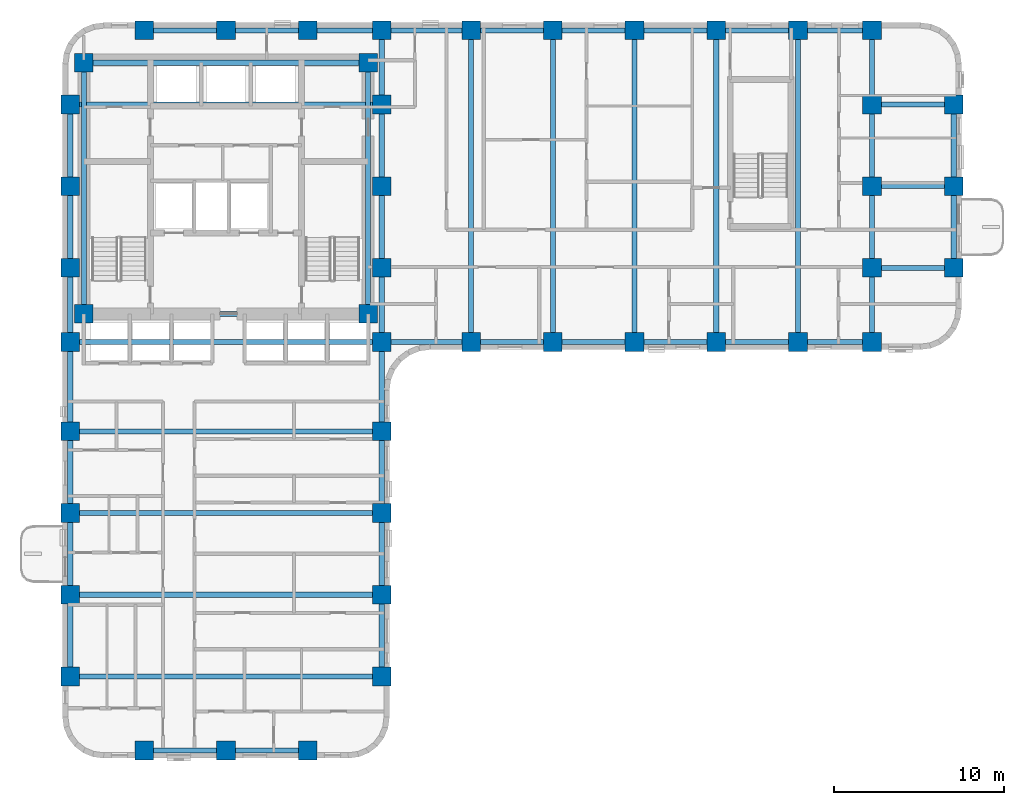
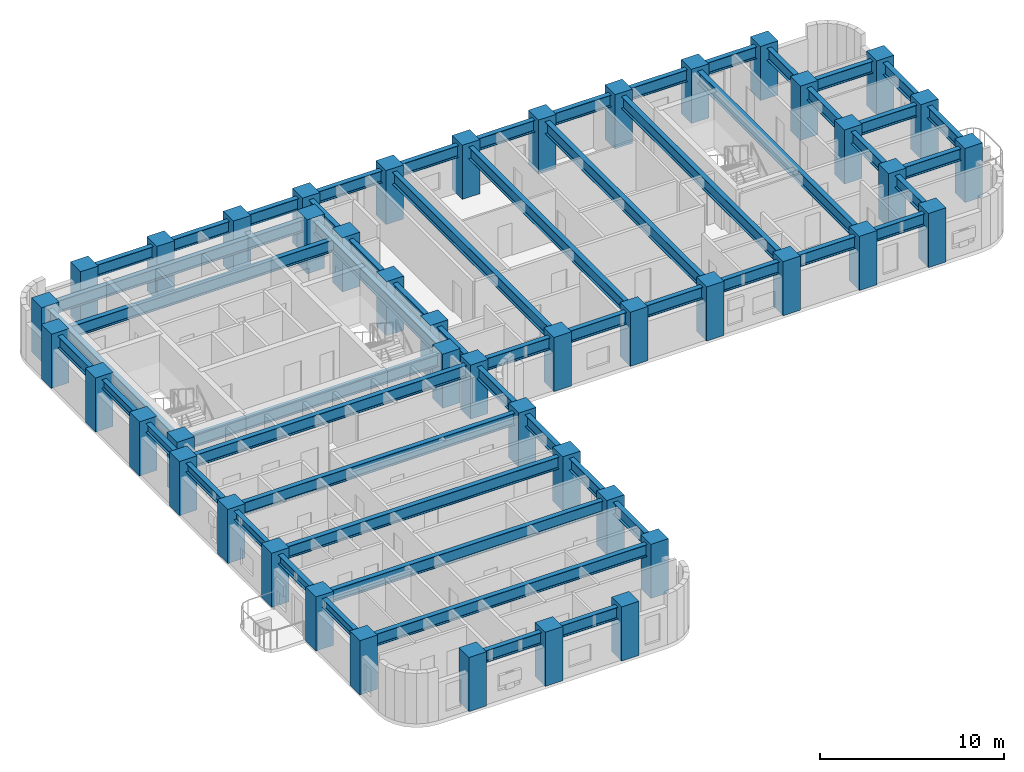
# One storey, part 1 of 12: 56 beams, 45 columns.
"""IFC4 building model written with IfcOpenShell, lengths in metres."""

from ifc_helpers import new_model, si_unit, direction, frame, origin, origin_2d, place, context, subcontext, project, spatial, rectangle, i_section, extrude, material, material_profile, profile_set, type_object, element, save


model = new_model("IFC4")

# Units and contexts
model_context = context("Model", 3, precision=1e-05, world=origin(), true_north=direction((0.0, 1.0)))
body_context = subcontext(model_context, "Body", "Model", "MODEL_VIEW")
ifc_project = project(units=[si_unit("LENGTHUNIT", "METRE"), si_unit("AREAUNIT", "SQUARE_METRE"), si_unit("VOLUMEUNIT", "CUBIC_METRE"), si_unit("PLANEANGLEUNIT", "RADIAN"), si_unit("MASSUNIT", "GRAM", prefix="KILO")], contexts=[model_context])

# Site, building, storey
site_placement = place(None, origin())
site = spatial("IfcSite", under=ifc_project, at=site_placement, CompositionType="ELEMENT")
building_placement = place(site_placement, origin())
building = spatial("IfcBuilding", under=site, at=building_placement, Name="Orvandelia Arch Residences", CompositionType="ELEMENT")
storey_placement = place(building_placement, frame((0.0, 0.0, 39.39990234375)))
storey = spatial("IfcBuildingStorey", under=building, at=storey_placement, Name="L09", CompositionType="ELEMENT", Elevation=39.39990234375)

# Columns
ifc_material_1 = material(Name="Concrete C80/95", Category="concrete")
ifc_material_profile_1 = material_profile(ifc_material_1, rectangle(XDim=1.10009765625, YDim=1.10009765625, at=origin_2d()), Name="Concrete C80/95", Category="concrete")
ifc_profile_set_1 = profile_set([ifc_material_profile_1], Name="Concrete C80/95")
column_type = type_object("IfcColumnType", Name="COL-TWR-1100", PredefinedType="COLUMN", material=ifc_profile_set_1)
for number, where, z_axis, x_axis, name in (
    (1, (5.25, 9.60009765625, 0.0), (0.0, 0.0, 1.0), (1.0, 0.0, 0.0), "Structural Column L09-W-W-96"),
    (2, (5.25, 14.39990234375, 0.0), (0.0, 0.0, 1.0), (1.0, 0.0, 0.0), "Structural Column L09-W-W-144"),
    (3, (5.25, 19.199951171875, 0.0), (0.0, 0.0, 1.0), (1.0, 0.0, 0.0), "Structural Column L09-W-W-192"),
    (4, (5.25, 24.0, 0.0), (0.0, 0.0, 1.0), (1.0, 0.0, 0.0), "Structural Column L09-W-W-240"),
    (5, (5.25, 29.25, 0.0), (0.0, 0.0, 1.0), (1.0, 0.0, 0.0), "Structural Column L09-W-W-292"),
    (6, (5.25, 33.60009765625, 0.0), (0.0, 0.0, 1.0), (1.0, 0.0, 0.0), "Structural Column L09-W-W-336"),
    (7, (5.25, 38.39990234375, 0.0), (0.0, 0.0, 1.0), (1.0, 0.0, 0.0), "Structural Column L09-W-W-384"),
    (8, (5.25, 43.199951171875, 0.0), (0.0, 0.0, 1.0), (1.0, 0.0, 0.0), "Structural Column L09-W-W-432"),
    (9, (6.050048828125, 30.89990234375, 0.0), (0.0, 0.0, 1.0), (1.0, 0.0, 0.0), "Structural Column L09-CR-SW"),
    (10, (6.050048828125, 45.64990234375, 0.0), (0.0, 0.0, 1.0), (1.0, 0.0, 0.0), "Structural Column L09-CR-NW"),
    (11, (9.60009765625, 5.25, 0.0), (0.0, 0.0, 1.0), (1.0, 0.0, 0.0), "Structural Column L09-W-S-96"),
    (12, (9.60009765625, 47.550048828125, 0.0), (0.0, 0.0, 1.0), (1.0, 0.0, 0.0), "Structural Column L09-W-N-96"),
    (13, (14.39990234375, 5.25, 0.0), (0.0, 0.0, 1.0), (1.0, 0.0, 0.0), "Structural Column L09-W-S-144"),
    (14, (14.39990234375, 47.550048828125, 0.0), (0.0, 0.0, 1.0), (1.0, 0.0, 0.0), "Structural Column L09-W-N-144"),
    (15, (19.199951171875, 5.25, 0.0), (0.0, 0.0, 1.0), (1.0, 0.0, 0.0), "Structural Column L09-W-S-192"),
    (16, (19.199951171875, 47.550048828125, 0.0), (0.0, 0.0, 1.0), (1.0, 0.0, 0.0), "Structural Column L09-W-N-192"),
    (17, (22.75, 30.89990234375, 0.0), (0.0, 0.0, 1.0), (1.0, 0.0, 0.0), "Structural Column L09-CR-SE"),
    (18, (22.75, 45.64990234375, 0.0), (0.0, 0.0, 1.0), (1.0, 0.0, 0.0), "Structural Column L09-CR-NE"),
    (19, (23.550048828125, 9.60009765625, 0.0), (0.0, 0.0, 1.0), (1.0, 0.0, 0.0), "Structural Column L09-W-E-96"),
    (20, (23.550048828125, 14.39990234375, 0.0), (0.0, 0.0, 1.0), (1.0, 0.0, 0.0), "Structural Column L09-W-E-144"),
    (21, (23.550048828125, 19.199951171875, 0.0), (0.0, 0.0, 1.0), (1.0, 0.0, 0.0), "Structural Column L09-W-E-192"),
    (22, (23.550048828125, 24.0, 0.0), (0.0, 0.0, 1.0), (1.0, 0.0, 0.0), "Structural Column L09-W-E-240"),
    (23, (23.550048828125, 29.25, 0.0), (0.0, 0.0, 1.0), (1.0, 0.0, 0.0), "Structural Column L09-W-E-292"),
    (24, (23.550048828125, 33.60009765625, 0.0), (0.0, 0.0, 1.0), (1.0, 0.0, 0.0), "Structural Column L09-W-E-336"),
    (25, (23.550048828125, 38.39990234375, 0.0), (0.0, 0.0, 1.0), (1.0, 0.0, 0.0), "Structural Column L09-W-E-384"),
    (26, (23.550048828125, 43.199951171875, 0.0), (0.0, 0.0, 1.0), (1.0, 0.0, 0.0), "Structural Column L09-W-E-432"),
    (27, (23.550048828125, 47.550048828125, 0.0), (0.0, 0.0, 1.0), (1.0, 0.0, 0.0), "Structural Column L09-W-N-235"),
    (28, (28.800048828125, 29.25, 0.0), (0.0, 0.0, 1.0), (1.0, 0.0, 0.0), "Structural Column L09-E-S-288"),
    (29, (28.800048828125, 47.550048828125, 0.0), (0.0, 0.0, 1.0), (1.0, 0.0, 0.0), "Structural Column L09-E-N-288"),
    (30, (33.60009765625, 29.25, 0.0), (0.0, 0.0, 1.0), (1.0, 0.0, 0.0), "Structural Column L09-E-S-336"),
    (31, (33.60009765625, 47.550048828125, 0.0), (0.0, 0.0, 1.0), (1.0, 0.0, 0.0), "Structural Column L09-E-N-336"),
    (32, (38.39990234375, 29.25, 0.0), (0.0, 0.0, 1.0), (1.0, 0.0, 0.0), "Structural Column L09-E-S-384"),
    (33, (38.39990234375, 47.550048828125, 0.0), (0.0, 0.0, 1.0), (1.0, 0.0, 0.0), "Structural Column L09-E-N-384"),
    (34, (43.199951171875, 29.25, 0.0), (0.0, 0.0, 1.0), (1.0, 0.0, 0.0), "Structural Column L09-E-S-432"),
    (35, (43.199951171875, 47.550048828125, 0.0), (0.0, 0.0, 1.0), (1.0, 0.0, 0.0), "Structural Column L09-E-N-432"),
    (36, (48.0, 29.25, 0.0), (0.0, 0.0, 1.0), (1.0, 0.0, 0.0), "Structural Column L09-E-S-480"),
    (37, (48.0, 47.550048828125, 0.0), (0.0, 0.0, 1.0), (1.0, 0.0, 0.0), "Structural Column L09-E-N-480"),
    (38, (52.35009765625, 29.25, 0.0), (0.0, 0.0, 1.0), (1.0, 0.0, 0.0), "Structural Column L09-E-S-523"),
    (39, (52.35009765625, 33.60009765625, 0.0), (0.0, 0.0, 1.0), (1.0, 0.0, 0.0), "Structural Column L09-E-523-336"),
    (40, (52.35009765625, 38.39990234375, 0.0), (0.0, 0.0, 1.0), (1.0, 0.0, 0.0), "Structural Column L09-E-523-384"),
    (41, (52.35009765625, 43.199951171875, 0.0), (0.0, 0.0, 1.0), (1.0, 0.0, 0.0), "Structural Column L09-E-523-432"),
    (42, (52.35009765625, 47.550048828125, 0.0), (0.0, 0.0, 1.0), (1.0, 0.0, 0.0), "Structural Column L09-E-N-523"),
    (43, (57.14990234375, 33.60009765625, 0.0), (0.0, 0.0, 1.0), (1.0, 0.0, 0.0), "Structural Column L09-E-571-336"),
    (44, (57.14990234375, 38.39990234375, 0.0), (0.0, 0.0, 1.0), (1.0, 0.0, 0.0), "Structural Column L09-E-571-384"),
    (45, (57.14990234375, 43.199951171875, 0.0), (0.0, 0.0, 1.0), (1.0, 0.0, 0.0), "Structural Column L09-E-571-432"),
):
    element("IfcColumn", number, at=place(storey_placement, frame(where, z_axis=z_axis, x_axis=x_axis)), inside=storey, type_object=column_type, Name=name, PredefinedType="COLUMN", context=body_context, shape_type="SweptSolid", body=[
        extrude(rectangle(XDim=1.10009765625, YDim=1.10009765625, at=origin_2d()), origin(), (0.0, 0.0, 1.0), 3.60009765625),
    ])

# Beams
ifc_material_2 = material(Name="Structural Steel SM355 (355 MPa)", Category="steel")
ifc_material_profile_2 = material_profile(ifc_material_2, i_section(OverallWidth=0.300048828125, OverallDepth=0.800048828125, WebThickness=0.013916015625, FlangeThickness=0.02587890625, FilletRadius=0.02587890625, at=origin_2d()), Name="Structural Steel SM355 (355 MPa)", Category="steel")
ifc_profile_set_2 = profile_set([ifc_material_profile_2], Name="Structural Steel SM355 (355 MPa)")
beam_type_1 = type_object("IfcBeamType", Name="BM-GRD-H800", PredefinedType="BEAM", material=ifc_profile_set_2)
beam_1_placement = place(storey_placement, frame((5.25, 38.39990234375, 2.9501953125), z_axis=(0.0, 1.0, 0.0), x_axis=(-1.0, 0.0, 0.0)))
element("IfcBeam", 46, at=beam_1_placement, inside=storey, type_object=beam_type_1, Name="Structural Frame Beam L09-NS-007", PredefinedType="BEAM", context=body_context, shape_type="SweptSolid", body=[
    extrude(i_section(OverallWidth=0.300048828125, OverallDepth=0.800048828125, WebThickness=0.013916015625, FlangeThickness=0.02587890625, FilletRadius=0.02587890625, at=origin_2d()), origin(), (0.0, 0.0, 1.0), 4.800048828125),
])
for number, where, z_axis, x_axis, name in (
    (47, (6.050048828125, 30.89990234375, 2.9501953125), (0.0, 1.0, 0.0), (-1.0, 0.0, 0.0), "Structural Frame Beam L09-NS-008"),
    (48, (22.75, 30.89990234375, 2.9501953125), (0.0, 1.0, 0.0), (-1.0, 0.0, 0.0), "Structural Frame Beam L09-NS-009"),
):
    element("IfcBeam", number, at=place(storey_placement, frame(where, z_axis=z_axis, x_axis=x_axis)), inside=storey, type_object=beam_type_1, Name=name, PredefinedType="BEAM", context=body_context, shape_type="SweptSolid", body=[
        extrude(i_section(OverallWidth=0.300048828125, OverallDepth=0.800048828125, WebThickness=0.013916015625, FlangeThickness=0.02587890625, FilletRadius=0.02587890625, at=origin_2d()), origin(), (0.0, 0.0, 1.0), 14.75),
    ])
beam_2_placement = place(storey_placement, frame((23.550048828125, 9.60009765625, 2.9501953125), z_axis=(0.0, 1.0, 0.0), x_axis=(-1.0, 0.0, 0.0)))
element("IfcBeam", 49, at=beam_2_placement, inside=storey, type_object=beam_type_1, Name="Structural Frame Beam L09-NS-010", PredefinedType="BEAM", context=body_context, shape_type="SweptSolid", body=[
    extrude(i_section(OverallWidth=0.300048828125, OverallDepth=0.800048828125, WebThickness=0.013916015625, FlangeThickness=0.02587890625, FilletRadius=0.02587890625, at=origin_2d()), origin(), (0.0, 0.0, 1.0), 4.7998046875),
])
for number, where, z_axis, x_axis, name in (
    (50, (23.550048828125, 14.39990234375, 2.9501953125), (0.0, 1.0, 0.0), (-1.0, 0.0, 0.0), "Structural Frame Beam L09-NS-011"),
    (51, (23.550048828125, 19.199951171875, 2.9501953125), (0.0, 1.0, 0.0), (-1.0, 0.0, 0.0), "Structural Frame Beam L09-NS-012"),
):
    element("IfcBeam", number, at=place(storey_placement, frame(where, z_axis=z_axis, x_axis=x_axis)), inside=storey, type_object=beam_type_1, Name=name, PredefinedType="BEAM", context=body_context, shape_type="SweptSolid", body=[
        extrude(i_section(OverallWidth=0.300048828125, OverallDepth=0.800048828125, WebThickness=0.013916015625, FlangeThickness=0.02587890625, FilletRadius=0.02587890625, at=origin_2d()), origin(), (0.0, 0.0, 1.0), 4.800048828125),
    ])
beam_3_placement = place(storey_placement, frame((23.550048828125, 24.0, 2.9501953125), z_axis=(0.0, 1.0, 0.0), x_axis=(-1.0, 0.0, 0.0)))
element("IfcBeam", 52, at=beam_3_placement, inside=storey, type_object=beam_type_1, Name="Structural Frame Beam L09-NS-013", PredefinedType="BEAM", context=body_context, shape_type="SweptSolid", body=[
    extrude(i_section(OverallWidth=0.300048828125, OverallDepth=0.800048828125, WebThickness=0.013916015625, FlangeThickness=0.02587890625, FilletRadius=0.02587890625, at=origin_2d()), origin(), (0.0, 0.0, 1.0), 5.25),
])
beam_4_placement = place(storey_placement, frame((23.550048828125, 29.25, 2.9501953125), z_axis=(0.0, 1.0, 0.0), x_axis=(-1.0, 0.0, 0.0)))
element("IfcBeam", 53, at=beam_4_placement, inside=storey, type_object=beam_type_1, Name="Structural Frame Beam L09-NS-014", PredefinedType="BEAM", context=body_context, shape_type="SweptSolid", body=[
    extrude(i_section(OverallWidth=0.300048828125, OverallDepth=0.800048828125, WebThickness=0.013916015625, FlangeThickness=0.02587890625, FilletRadius=0.02587890625, at=origin_2d()), origin(), (0.0, 0.0, 1.0), 4.35009765625),
])
beam_5_placement = place(storey_placement, frame((23.550048828125, 33.60009765625, 2.9501953125), z_axis=(0.0, 1.0, 0.0), x_axis=(-1.0, 0.0, 0.0)))
element("IfcBeam", 54, at=beam_5_placement, inside=storey, type_object=beam_type_1, Name="Structural Frame Beam L09-NS-015", PredefinedType="BEAM", context=body_context, shape_type="SweptSolid", body=[
    extrude(i_section(OverallWidth=0.300048828125, OverallDepth=0.800048828125, WebThickness=0.013916015625, FlangeThickness=0.02587890625, FilletRadius=0.02587890625, at=origin_2d()), origin(), (0.0, 0.0, 1.0), 4.7998046875),
])
beam_6_placement = place(storey_placement, frame((23.550048828125, 38.39990234375, 2.9501953125), z_axis=(0.0, 1.0, 0.0), x_axis=(-1.0, 0.0, 0.0)))
element("IfcBeam", 55, at=beam_6_placement, inside=storey, type_object=beam_type_1, Name="Structural Frame Beam L09-NS-016", PredefinedType="BEAM", context=body_context, shape_type="SweptSolid", body=[
    extrude(i_section(OverallWidth=0.300048828125, OverallDepth=0.800048828125, WebThickness=0.013916015625, FlangeThickness=0.02587890625, FilletRadius=0.02587890625, at=origin_2d()), origin(), (0.0, 0.0, 1.0), 4.800048828125),
])
beam_7_placement = place(storey_placement, frame((23.550048828125, 43.199951171875, 2.9501953125), z_axis=(0.0, 1.0, 0.0), x_axis=(-1.0, 0.0, 0.0)))
element("IfcBeam", 56, at=beam_7_placement, inside=storey, type_object=beam_type_1, Name="Structural Frame Beam L09-NS-017", PredefinedType="BEAM", context=body_context, shape_type="SweptSolid", body=[
    extrude(i_section(OverallWidth=0.300048828125, OverallDepth=0.800048828125, WebThickness=0.013916015625, FlangeThickness=0.02587890625, FilletRadius=0.02587890625, at=origin_2d()), origin(), (0.0, 0.0, 1.0), 4.35009765625),
])
for number, where, z_axis, x_axis, name in (
    (57, (28.800048828125, 29.25, 2.9501953125), (0.0, 1.0, 0.0), (-1.0, 0.0, 0.0), "Structural Frame Beam L09-NS-018"),
    (58, (33.60009765625, 29.25, 2.9501953125), (0.0, 1.0, 0.0), (-1.0, 0.0, 0.0), "Structural Frame Beam L09-NS-019"),
    (59, (38.39990234375, 29.25, 2.9501953125), (0.0, 1.0, 0.0), (-1.0, 0.0, 0.0), "Structural Frame Beam L09-NS-020"),
    (60, (43.199951171875, 29.25, 2.9501953125), (0.0, 1.0, 0.0), (-1.0, 0.0, 0.0), "Structural Frame Beam L09-NS-021"),
    (61, (48.0, 29.25, 2.9501953125), (0.0, 1.0, 0.0), (-1.0, 0.0, 0.0), "Structural Frame Beam L09-NS-022"),
):
    element("IfcBeam", number, at=place(storey_placement, frame(where, z_axis=z_axis, x_axis=x_axis)), inside=storey, type_object=beam_type_1, Name=name, PredefinedType="BEAM", context=body_context, shape_type="SweptSolid", body=[
        extrude(i_section(OverallWidth=0.300048828125, OverallDepth=0.800048828125, WebThickness=0.013916015625, FlangeThickness=0.02587890625, FilletRadius=0.02587890625, at=origin_2d()), origin(), (0.0, 0.0, 1.0), 18.300048828125),
    ])
beam_8_placement = place(storey_placement, frame((52.35009765625, 29.25, 2.9501953125), z_axis=(0.0, 1.0, 0.0), x_axis=(-1.0, 0.0, 0.0)))
element("IfcBeam", 62, at=beam_8_placement, inside=storey, type_object=beam_type_1, Name="Structural Frame Beam L09-NS-023", PredefinedType="BEAM", context=body_context, shape_type="SweptSolid", body=[
    extrude(i_section(OverallWidth=0.300048828125, OverallDepth=0.800048828125, WebThickness=0.013916015625, FlangeThickness=0.02587890625, FilletRadius=0.02587890625, at=origin_2d()), origin(), (0.0, 0.0, 1.0), 4.35009765625),
])
beam_9_placement = place(storey_placement, frame((52.35009765625, 33.60009765625, 2.9501953125), z_axis=(0.0, 1.0, 0.0), x_axis=(-1.0, 0.0, 0.0)))
element("IfcBeam", 63, at=beam_9_placement, inside=storey, type_object=beam_type_1, Name="Structural Frame Beam L09-NS-024", PredefinedType="BEAM", context=body_context, shape_type="SweptSolid", body=[
    extrude(i_section(OverallWidth=0.300048828125, OverallDepth=0.800048828125, WebThickness=0.013916015625, FlangeThickness=0.02587890625, FilletRadius=0.02587890625, at=origin_2d()), origin(), (0.0, 0.0, 1.0), 4.7998046875),
])
beam_10_placement = place(storey_placement, frame((52.35009765625, 38.39990234375, 2.9501953125), z_axis=(0.0, 1.0, 0.0), x_axis=(-1.0, 0.0, 0.0)))
element("IfcBeam", 64, at=beam_10_placement, inside=storey, type_object=beam_type_1, Name="Structural Frame Beam L09-NS-025", PredefinedType="BEAM", context=body_context, shape_type="SweptSolid", body=[
    extrude(i_section(OverallWidth=0.300048828125, OverallDepth=0.800048828125, WebThickness=0.013916015625, FlangeThickness=0.02587890625, FilletRadius=0.02587890625, at=origin_2d()), origin(), (0.0, 0.0, 1.0), 4.800048828125),
])
beam_11_placement = place(storey_placement, frame((52.35009765625, 43.199951171875, 2.9501953125), z_axis=(0.0, 1.0, 0.0), x_axis=(-1.0, 0.0, 0.0)))
element("IfcBeam", 65, at=beam_11_placement, inside=storey, type_object=beam_type_1, Name="Structural Frame Beam L09-NS-026", PredefinedType="BEAM", context=body_context, shape_type="SweptSolid", body=[
    extrude(i_section(OverallWidth=0.300048828125, OverallDepth=0.800048828125, WebThickness=0.013916015625, FlangeThickness=0.02587890625, FilletRadius=0.02587890625, at=origin_2d()), origin(), (0.0, 0.0, 1.0), 4.35009765625),
])
beam_12_placement = place(storey_placement, frame((57.14990234375, 33.60009765625, 2.9501953125), z_axis=(0.0, 1.0, 0.0), x_axis=(-1.0, 0.0, 0.0)))
element("IfcBeam", 66, at=beam_12_placement, inside=storey, type_object=beam_type_1, Name="Structural Frame Beam L09-NS-027", PredefinedType="BEAM", context=body_context, shape_type="SweptSolid", body=[
    extrude(i_section(OverallWidth=0.300048828125, OverallDepth=0.800048828125, WebThickness=0.013916015625, FlangeThickness=0.02587890625, FilletRadius=0.02587890625, at=origin_2d()), origin(), (0.0, 0.0, 1.0), 4.7998046875),
])
beam_13_placement = place(storey_placement, frame((57.14990234375, 38.39990234375, 2.9501953125), z_axis=(0.0, 1.0, 0.0), x_axis=(-1.0, 0.0, 0.0)))
element("IfcBeam", 67, at=beam_13_placement, inside=storey, type_object=beam_type_1, Name="Structural Frame Beam L09-NS-028", PredefinedType="BEAM", context=body_context, shape_type="SweptSolid", body=[
    extrude(i_section(OverallWidth=0.300048828125, OverallDepth=0.800048828125, WebThickness=0.013916015625, FlangeThickness=0.02587890625, FilletRadius=0.02587890625, at=origin_2d()), origin(), (0.0, 0.0, 1.0), 4.800048828125),
])
beam_14_placement = place(storey_placement, frame((9.60009765625, 5.25, 2.9501953125), z_axis=(1.0, 0.0, 0.0), x_axis=(0.0, 1.0, 0.0)))
element("IfcBeam", 68, at=beam_14_placement, inside=storey, type_object=beam_type_1, Name="Structural Frame Girder L09-EW-029", PredefinedType="BEAM", context=body_context, shape_type="SweptSolid", body=[
    extrude(i_section(OverallWidth=0.300048828125, OverallDepth=0.800048828125, WebThickness=0.013916015625, FlangeThickness=0.02587890625, FilletRadius=0.02587890625, at=origin_2d()), origin(), (0.0, 0.0, 1.0), 4.7998046875),
])
beam_15_placement = place(storey_placement, frame((14.39990234375, 5.25, 2.9501953125), z_axis=(1.0, 0.0, 0.0), x_axis=(0.0, 1.0, 0.0)))
element("IfcBeam", 69, at=beam_15_placement, inside=storey, type_object=beam_type_1, Name="Structural Frame Girder L09-EW-030", PredefinedType="BEAM", context=body_context, shape_type="SweptSolid", body=[
    extrude(i_section(OverallWidth=0.300048828125, OverallDepth=0.800048828125, WebThickness=0.013916015625, FlangeThickness=0.02587890625, FilletRadius=0.02587890625, at=origin_2d()), origin(), (0.0, 0.0, 1.0), 4.800048828125),
])
for number, where, z_axis, x_axis, name in (
    (70, (5.25, 9.60009765625, 2.9501953125), (1.0, 0.0, 0.0), (0.0, 1.0, 0.0), "Structural Frame Girder L09-EW-031"),
    (71, (5.25, 14.39990234375, 2.9501953125), (1.0, 0.0, 0.0), (0.0, 1.0, 0.0), "Structural Frame Girder L09-EW-032"),
    (72, (5.25, 19.199951171875, 2.9501953125), (1.0, 0.0, 0.0), (0.0, 1.0, 0.0), "Structural Frame Girder L09-EW-033"),
    (73, (5.25, 24.0, 2.9501953125), (1.0, 0.0, 0.0), (0.0, 1.0, 0.0), "Structural Frame Girder L09-EW-034"),
    (74, (5.25, 29.25, 2.9501953125), (1.0, 0.0, 0.0), (0.0, 1.0, 0.0), "Structural Frame Girder L09-EW-035"),
):
    element("IfcBeam", number, at=place(storey_placement, frame(where, z_axis=z_axis, x_axis=x_axis)), inside=storey, type_object=beam_type_1, Name=name, PredefinedType="BEAM", context=body_context, shape_type="SweptSolid", body=[
        extrude(i_section(OverallWidth=0.300048828125, OverallDepth=0.800048828125, WebThickness=0.013916015625, FlangeThickness=0.02587890625, FilletRadius=0.02587890625, at=origin_2d()), origin(), (0.0, 0.0, 1.0), 18.300048828125),
    ])
beam_16_placement = place(storey_placement, frame((23.550048828125, 29.25, 2.9501953125), z_axis=(1.0, 0.0, 0.0), x_axis=(0.0, 1.0, 0.0)))
element("IfcBeam", 75, at=beam_16_placement, inside=storey, type_object=beam_type_1, Name="Structural Frame Girder L09-EW-036", PredefinedType="BEAM", context=body_context, shape_type="SweptSolid", body=[
    extrude(i_section(OverallWidth=0.300048828125, OverallDepth=0.800048828125, WebThickness=0.013916015625, FlangeThickness=0.02587890625, FilletRadius=0.02587890625, at=origin_2d()), origin(), (0.0, 0.0, 1.0), 5.25),
])
beam_17_placement = place(storey_placement, frame((28.800048828125, 29.25, 2.9501953125), z_axis=(1.0, 0.0, 0.0), x_axis=(0.0, 1.0, 0.0)))
element("IfcBeam", 76, at=beam_17_placement, inside=storey, type_object=beam_type_1, Name="Structural Frame Girder L09-EW-037", PredefinedType="BEAM", context=body_context, shape_type="SweptSolid", body=[
    extrude(i_section(OverallWidth=0.300048828125, OverallDepth=0.800048828125, WebThickness=0.013916015625, FlangeThickness=0.02587890625, FilletRadius=0.02587890625, at=origin_2d()), origin(), (0.0, 0.0, 1.0), 4.800048828125),
])
beam_18_placement = place(storey_placement, frame((33.60009765625, 29.25, 2.9501953125), z_axis=(1.0, 0.0, 0.0), x_axis=(0.0, 1.0, 0.0)))
element("IfcBeam", 77, at=beam_18_placement, inside=storey, type_object=beam_type_1, Name="Structural Frame Girder L09-EW-038", PredefinedType="BEAM", context=body_context, shape_type="SweptSolid", body=[
    extrude(i_section(OverallWidth=0.300048828125, OverallDepth=0.800048828125, WebThickness=0.013916015625, FlangeThickness=0.02587890625, FilletRadius=0.02587890625, at=origin_2d()), origin(), (0.0, 0.0, 1.0), 4.7998046875),
])
for number, where, z_axis, x_axis, name in (
    (78, (38.39990234375, 29.25, 2.9501953125), (1.0, 0.0, 0.0), (0.0, 1.0, 0.0), "Structural Frame Girder L09-EW-039"),
    (79, (43.199951171875, 29.25, 2.9501953125), (1.0, 0.0, 0.0), (0.0, 1.0, 0.0), "Structural Frame Girder L09-EW-040"),
):
    element("IfcBeam", number, at=place(storey_placement, frame(where, z_axis=z_axis, x_axis=x_axis)), inside=storey, type_object=beam_type_1, Name=name, PredefinedType="BEAM", context=body_context, shape_type="SweptSolid", body=[
        extrude(i_section(OverallWidth=0.300048828125, OverallDepth=0.800048828125, WebThickness=0.013916015625, FlangeThickness=0.02587890625, FilletRadius=0.02587890625, at=origin_2d()), origin(), (0.0, 0.0, 1.0), 4.800048828125),
    ])
beam_19_placement = place(storey_placement, frame((48.0, 29.25, 2.9501953125), z_axis=(1.0, 0.0, 0.0), x_axis=(0.0, 1.0, 0.0)))
element("IfcBeam", 80, at=beam_19_placement, inside=storey, type_object=beam_type_1, Name="Structural Frame Girder L09-EW-041", PredefinedType="BEAM", context=body_context, shape_type="SweptSolid", body=[
    extrude(i_section(OverallWidth=0.300048828125, OverallDepth=0.800048828125, WebThickness=0.013916015625, FlangeThickness=0.02587890625, FilletRadius=0.02587890625, at=origin_2d()), origin(), (0.0, 0.0, 1.0), 4.35009765625),
])
beam_20_placement = place(storey_placement, frame((6.050048828125, 30.89990234375, 2.9501953125), z_axis=(1.0, 0.0, 0.0), x_axis=(0.0, 1.0, 0.0)))
element("IfcBeam", 81, at=beam_20_placement, inside=storey, type_object=beam_type_1, Name="Structural Frame Girder L09-EW-042", PredefinedType="BEAM", context=body_context, shape_type="SweptSolid", body=[
    extrude(i_section(OverallWidth=0.300048828125, OverallDepth=0.800048828125, WebThickness=0.013916015625, FlangeThickness=0.02587890625, FilletRadius=0.02587890625, at=origin_2d()), origin(), (0.0, 0.0, 1.0), 16.699951171875),
])
for number, where, z_axis, x_axis, name in (
    (82, (52.35009765625, 33.60009765625, 2.9501953125), (1.0, 0.0, 0.0), (0.0, 1.0, 0.0), "Structural Frame Girder L09-EW-044"),
    (83, (52.35009765625, 38.39990234375, 2.9501953125), (1.0, 0.0, 0.0), (0.0, 1.0, 0.0), "Structural Frame Girder L09-EW-046"),
):
    element("IfcBeam", number, at=place(storey_placement, frame(where, z_axis=z_axis, x_axis=x_axis)), inside=storey, type_object=beam_type_1, Name=name, PredefinedType="BEAM", context=body_context, shape_type="SweptSolid", body=[
        extrude(i_section(OverallWidth=0.300048828125, OverallDepth=0.800048828125, WebThickness=0.013916015625, FlangeThickness=0.02587890625, FilletRadius=0.02587890625, at=origin_2d()), origin(), (0.0, 0.0, 1.0), 4.7998046875),
    ])
beam_21_placement = place(storey_placement, frame((5.25, 43.199951171875, 2.9501953125), z_axis=(1.0, 0.0, 0.0), x_axis=(0.0, 1.0, 0.0)))
element("IfcBeam", 84, at=beam_21_placement, inside=storey, type_object=beam_type_1, Name="Structural Frame Girder L09-EW-047", PredefinedType="BEAM", context=body_context, shape_type="SweptSolid", body=[
    extrude(i_section(OverallWidth=0.300048828125, OverallDepth=0.800048828125, WebThickness=0.013916015625, FlangeThickness=0.02587890625, FilletRadius=0.02587890625, at=origin_2d()), origin(), (0.0, 0.0, 1.0), 18.300048828125),
])
beam_22_placement = place(storey_placement, frame((52.35009765625, 43.199951171875, 2.9501953125), z_axis=(1.0, 0.0, 0.0), x_axis=(0.0, 1.0, 0.0)))
element("IfcBeam", 85, at=beam_22_placement, inside=storey, type_object=beam_type_1, Name="Structural Frame Girder L09-EW-048", PredefinedType="BEAM", context=body_context, shape_type="SweptSolid", body=[
    extrude(i_section(OverallWidth=0.300048828125, OverallDepth=0.800048828125, WebThickness=0.013916015625, FlangeThickness=0.02587890625, FilletRadius=0.02587890625, at=origin_2d()), origin(), (0.0, 0.0, 1.0), 4.7998046875),
])
beam_23_placement = place(storey_placement, frame((6.050048828125, 45.64990234375, 2.9501953125), z_axis=(1.0, 0.0, 0.0), x_axis=(0.0, 1.0, 0.0)))
element("IfcBeam", 86, at=beam_23_placement, inside=storey, type_object=beam_type_1, Name="Structural Frame Girder L09-EW-049", PredefinedType="BEAM", context=body_context, shape_type="SweptSolid", body=[
    extrude(i_section(OverallWidth=0.300048828125, OverallDepth=0.800048828125, WebThickness=0.013916015625, FlangeThickness=0.02587890625, FilletRadius=0.02587890625, at=origin_2d()), origin(), (0.0, 0.0, 1.0), 16.699951171875),
])
beam_24_placement = place(storey_placement, frame((9.60009765625, 47.550048828125, 2.9501953125), z_axis=(1.0, 0.0, 0.0), x_axis=(0.0, 1.0, 0.0)))
element("IfcBeam", 87, at=beam_24_placement, inside=storey, type_object=beam_type_1, Name="Structural Frame Girder L09-EW-050", PredefinedType="BEAM", context=body_context, shape_type="SweptSolid", body=[
    extrude(i_section(OverallWidth=0.300048828125, OverallDepth=0.800048828125, WebThickness=0.013916015625, FlangeThickness=0.02587890625, FilletRadius=0.02587890625, at=origin_2d()), origin(), (0.0, 0.0, 1.0), 4.7998046875),
])
beam_25_placement = place(storey_placement, frame((14.39990234375, 47.550048828125, 2.9501953125), z_axis=(1.0, 0.0, 0.0), x_axis=(0.0, 1.0, 0.0)))
element("IfcBeam", 88, at=beam_25_placement, inside=storey, type_object=beam_type_1, Name="Structural Frame Girder L09-EW-051", PredefinedType="BEAM", context=body_context, shape_type="SweptSolid", body=[
    extrude(i_section(OverallWidth=0.300048828125, OverallDepth=0.800048828125, WebThickness=0.013916015625, FlangeThickness=0.02587890625, FilletRadius=0.02587890625, at=origin_2d()), origin(), (0.0, 0.0, 1.0), 4.800048828125),
])
beam_26_placement = place(storey_placement, frame((19.199951171875, 47.550048828125, 2.9501953125), z_axis=(1.0, 0.0, 0.0), x_axis=(0.0, 1.0, 0.0)))
element("IfcBeam", 89, at=beam_26_placement, inside=storey, type_object=beam_type_1, Name="Structural Frame Girder L09-EW-052", PredefinedType="BEAM", context=body_context, shape_type="SweptSolid", body=[
    extrude(i_section(OverallWidth=0.300048828125, OverallDepth=0.800048828125, WebThickness=0.013916015625, FlangeThickness=0.02587890625, FilletRadius=0.02587890625, at=origin_2d()), origin(), (0.0, 0.0, 1.0), 4.35009765625),
])
beam_27_placement = place(storey_placement, frame((23.550048828125, 47.550048828125, 2.9501953125), z_axis=(1.0, 0.0, 0.0), x_axis=(0.0, 1.0, 0.0)))
element("IfcBeam", 90, at=beam_27_placement, inside=storey, type_object=beam_type_1, Name="Structural Frame Girder L09-EW-053", PredefinedType="BEAM", context=body_context, shape_type="SweptSolid", body=[
    extrude(i_section(OverallWidth=0.300048828125, OverallDepth=0.800048828125, WebThickness=0.013916015625, FlangeThickness=0.02587890625, FilletRadius=0.02587890625, at=origin_2d()), origin(), (0.0, 0.0, 1.0), 5.25),
])
beam_28_placement = place(storey_placement, frame((28.800048828125, 47.550048828125, 2.9501953125), z_axis=(1.0, 0.0, 0.0), x_axis=(0.0, 1.0, 0.0)))
element("IfcBeam", 91, at=beam_28_placement, inside=storey, type_object=beam_type_1, Name="Structural Frame Girder L09-EW-054", PredefinedType="BEAM", context=body_context, shape_type="SweptSolid", body=[
    extrude(i_section(OverallWidth=0.300048828125, OverallDepth=0.800048828125, WebThickness=0.013916015625, FlangeThickness=0.02587890625, FilletRadius=0.02587890625, at=origin_2d()), origin(), (0.0, 0.0, 1.0), 4.800048828125),
])
beam_29_placement = place(storey_placement, frame((33.60009765625, 47.550048828125, 2.9501953125), z_axis=(1.0, 0.0, 0.0), x_axis=(0.0, 1.0, 0.0)))
element("IfcBeam", 92, at=beam_29_placement, inside=storey, type_object=beam_type_1, Name="Structural Frame Girder L09-EW-055", PredefinedType="BEAM", context=body_context, shape_type="SweptSolid", body=[
    extrude(i_section(OverallWidth=0.300048828125, OverallDepth=0.800048828125, WebThickness=0.013916015625, FlangeThickness=0.02587890625, FilletRadius=0.02587890625, at=origin_2d()), origin(), (0.0, 0.0, 1.0), 4.7998046875),
])
for number, where, z_axis, x_axis, name in (
    (93, (38.39990234375, 47.550048828125, 2.9501953125), (1.0, 0.0, 0.0), (0.0, 1.0, 0.0), "Structural Frame Girder L09-EW-056"),
    (94, (43.199951171875, 47.550048828125, 2.9501953125), (1.0, 0.0, 0.0), (0.0, 1.0, 0.0), "Structural Frame Girder L09-EW-057"),
):
    element("IfcBeam", number, at=place(storey_placement, frame(where, z_axis=z_axis, x_axis=x_axis)), inside=storey, type_object=beam_type_1, Name=name, PredefinedType="BEAM", context=body_context, shape_type="SweptSolid", body=[
        extrude(i_section(OverallWidth=0.300048828125, OverallDepth=0.800048828125, WebThickness=0.013916015625, FlangeThickness=0.02587890625, FilletRadius=0.02587890625, at=origin_2d()), origin(), (0.0, 0.0, 1.0), 4.800048828125),
    ])
beam_30_placement = place(storey_placement, frame((48.0, 47.550048828125, 2.9501953125), z_axis=(1.0, 0.0, 0.0), x_axis=(0.0, 1.0, 0.0)))
element("IfcBeam", 95, at=beam_30_placement, inside=storey, type_object=beam_type_1, Name="Structural Frame Girder L09-EW-058", PredefinedType="BEAM", context=body_context, shape_type="SweptSolid", body=[
    extrude(i_section(OverallWidth=0.300048828125, OverallDepth=0.800048828125, WebThickness=0.013916015625, FlangeThickness=0.02587890625, FilletRadius=0.02587890625, at=origin_2d()), origin(), (0.0, 0.0, 1.0), 4.35009765625),
])
ifc_material_profile_3 = material_profile(ifc_material_2, i_section(OverallWidth=0.300048828125, OverallDepth=0.587890625, WebThickness=0.011962890625, FlangeThickness=0.02001953125, FilletRadius=0.02197265625, at=origin_2d()), Name="Structural Steel SM355 (355 MPa)", Category="steel")
ifc_profile_set_3 = profile_set([ifc_material_profile_3], Name="Structural Steel SM355 (355 MPa)")
beam_type_2 = type_object("IfcBeamType", Name="BM-SPN-H588", PredefinedType="SPANDREL", material=ifc_profile_set_3)
beam_31_placement = place(storey_placement, frame((5.25, 9.60009765625, 3.05615234375), z_axis=(0.0, 1.0, 0.0), x_axis=(-1.0, 0.0, 0.0)))
element("IfcBeam", 96, at=beam_31_placement, inside=storey, type_object=beam_type_2, Name="Structural Frame Beam L09-NS-001", PredefinedType="SPANDREL", context=body_context, shape_type="SweptSolid", body=[
    extrude(i_section(OverallWidth=0.300048828125, OverallDepth=0.587890625, WebThickness=0.011962890625, FlangeThickness=0.02001953125, FilletRadius=0.02197265625, at=origin_2d()), origin(), (0.0, 0.0, 1.0), 4.7998046875),
])
for number, where, z_axis, x_axis, name in (
    (97, (5.25, 14.39990234375, 3.05615234375), (0.0, 1.0, 0.0), (-1.0, 0.0, 0.0), "Structural Frame Beam L09-NS-002"),
    (98, (5.25, 19.199951171875, 3.05615234375), (0.0, 1.0, 0.0), (-1.0, 0.0, 0.0), "Structural Frame Beam L09-NS-003"),
):
    element("IfcBeam", number, at=place(storey_placement, frame(where, z_axis=z_axis, x_axis=x_axis)), inside=storey, type_object=beam_type_2, Name=name, PredefinedType="SPANDREL", context=body_context, shape_type="SweptSolid", body=[
        extrude(i_section(OverallWidth=0.300048828125, OverallDepth=0.587890625, WebThickness=0.011962890625, FlangeThickness=0.02001953125, FilletRadius=0.02197265625, at=origin_2d()), origin(), (0.0, 0.0, 1.0), 4.800048828125),
    ])
beam_32_placement = place(storey_placement, frame((5.25, 24.0, 3.05615234375), z_axis=(0.0, 1.0, 0.0), x_axis=(-1.0, 0.0, 0.0)))
element("IfcBeam", 99, at=beam_32_placement, inside=storey, type_object=beam_type_2, Name="Structural Frame Beam L09-NS-004", PredefinedType="SPANDREL", context=body_context, shape_type="SweptSolid", body=[
    extrude(i_section(OverallWidth=0.300048828125, OverallDepth=0.587890625, WebThickness=0.011962890625, FlangeThickness=0.02001953125, FilletRadius=0.02197265625, at=origin_2d()), origin(), (0.0, 0.0, 1.0), 5.25),
])
beam_33_placement = place(storey_placement, frame((5.25, 29.25, 3.05615234375), z_axis=(0.0, 1.0, 0.0), x_axis=(-1.0, 0.0, 0.0)))
element("IfcBeam", 100, at=beam_33_placement, inside=storey, type_object=beam_type_2, Name="Structural Frame Beam L09-NS-005", PredefinedType="SPANDREL", context=body_context, shape_type="SweptSolid", body=[
    extrude(i_section(OverallWidth=0.300048828125, OverallDepth=0.587890625, WebThickness=0.011962890625, FlangeThickness=0.02001953125, FilletRadius=0.02197265625, at=origin_2d()), origin(), (0.0, 0.0, 1.0), 4.35009765625),
])
beam_34_placement = place(storey_placement, frame((5.25, 33.60009765625, 3.05615234375), z_axis=(0.0, 1.0, 0.0), x_axis=(-1.0, 0.0, 0.0)))
element("IfcBeam", 101, at=beam_34_placement, inside=storey, type_object=beam_type_2, Name="Structural Frame Beam L09-NS-006", PredefinedType="SPANDREL", context=body_context, shape_type="SweptSolid", body=[
    extrude(i_section(OverallWidth=0.300048828125, OverallDepth=0.587890625, WebThickness=0.011962890625, FlangeThickness=0.02001953125, FilletRadius=0.02197265625, at=origin_2d()), origin(), (0.0, 0.0, 1.0), 4.7998046875),
])

save(model, "model.ifc")
